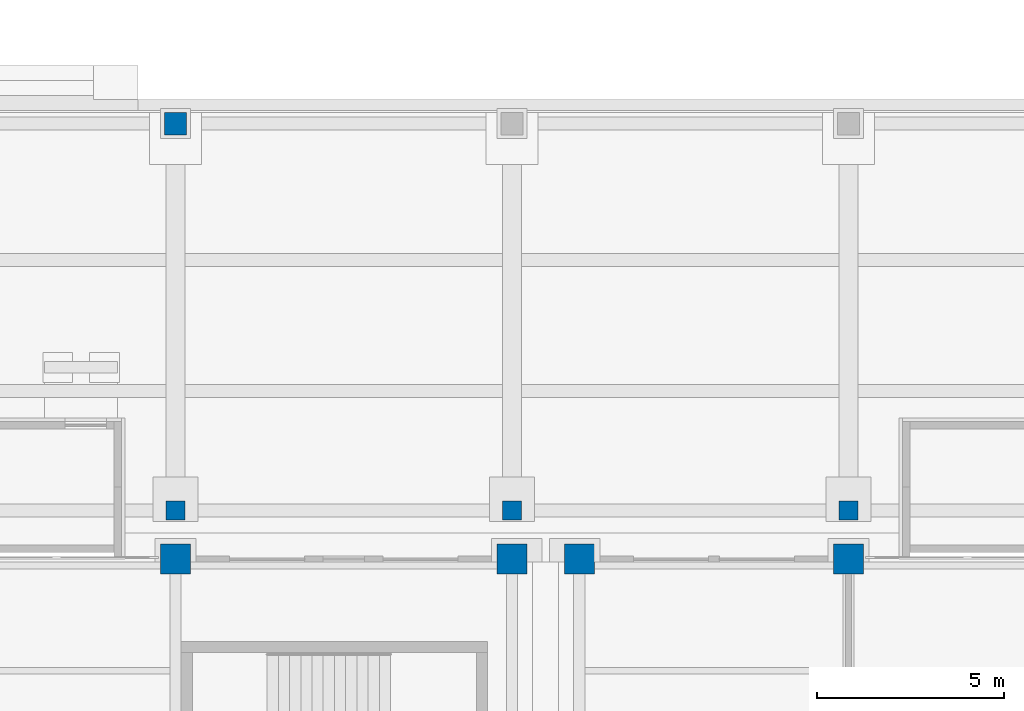
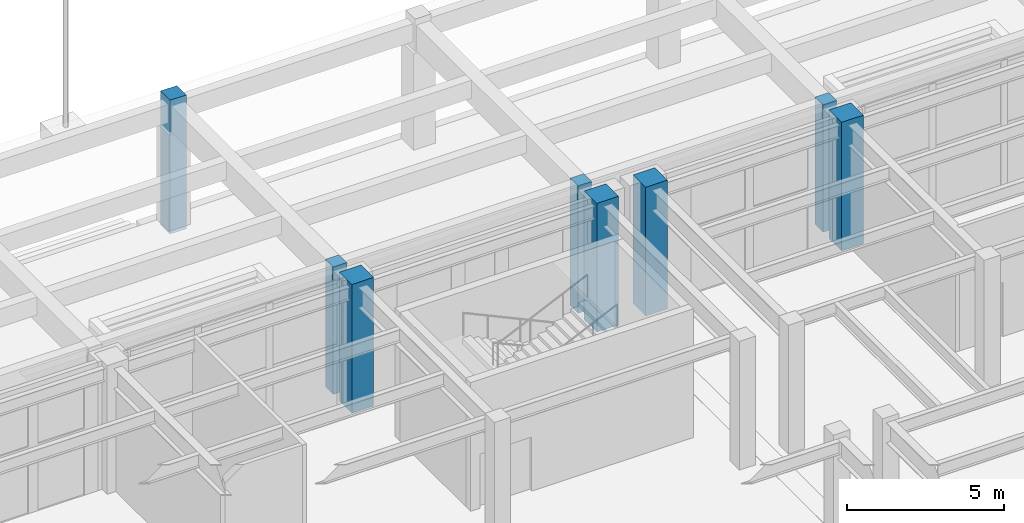
# One storey, part 10 of 77: 8 columns.
"""IFC4 building model written with IfcOpenShell, lengths in metres."""

import ifcopenshell
import ifcopenshell.guid

model = None  # the IFC model being written
_history = None  # IfcOwnerHistory: only IFC2X3 demands one
_inside = {}  # id of a spatial element -> (the spatial element, [elements in it])
_under = {}  # id of a project, library or spatial element -> (it, [spatial elements below it])
_declared = {}  # id of a project -> (the project, [libraries it declares])
_typed = {}  # id of a type object -> (the type object, [elements of that type])
_made_of = {}  # id of a material, layer set ... -> (it, [elements and type objects made of it])


def new_model(schema):
    """Start an empty IFC model of exactly this schema.

    Asked for "IFC4X3", IfcOpenShell would pick the latest addendum, in which some entities
    have other attributes; the version numbers below select the first issue.
    IFC2X3 requires an IfcOwnerHistory on every rooted entity: one is made here for all.
    """
    global model, _history
    if schema == "IFC4X3":
        model = ifcopenshell.file(schema_version=(4, 3, 0, 0))
    else:
        model = ifcopenshell.file(schema=schema)
    _inside.clear()
    _under.clear()
    _declared.clear()
    _typed.clear()
    _made_of.clear()
    _history = None
    if model.schema == "IFC2X3":
        org = make("IfcOrganization", Name="unknown")
        user = make(
            "IfcPersonAndOrganization",
            ThePerson=make("IfcPerson", FamilyName="unknown"),
            TheOrganization=org,
        )
        app = make(
            "IfcApplication",
            ApplicationDeveloper=org,
            Version="unknown",
            ApplicationFullName="unknown",
            ApplicationIdentifier="unknown",
        )
        _history = make(
            "IfcOwnerHistory",
            OwningUser=user,
            OwningApplication=app,
            ChangeAction="ADDED",
            CreationDate=0,
        )
    return model


def make(cls, **values):
    """One entity of the class cls with the attributes given. An attribute that is None is left unset."""
    return model.create_entity(
        cls, **{name: value for name, value in values.items() if value is not None}
    )


def rooted(cls, **values):
    """An entity with a GlobalId (a new one), such as an element, a storey or a relation."""
    return make(cls, GlobalId=ifcopenshell.guid.new(), OwnerHistory=_history, **values)


def si_unit(unit_type, name, prefix=None):
    """IfcSIUnit, for example si_unit("LENGTHUNIT", "METRE", prefix="MILLI")."""
    return make("IfcSIUnit", UnitType=unit_type, Prefix=prefix, Name=name)


def assignment(units):
    """IfcUnitAssignment: the units of a project."""
    return None if units is None else make("IfcUnitAssignment", Units=units)


def point(xyz):
    """IfcCartesianPoint."""
    return None if xyz is None else make("IfcCartesianPoint", Coordinates=xyz)


def direction(xyz):
    """IfcDirection."""
    return None if xyz is None else make("IfcDirection", DirectionRatios=xyz)


def frame(location, z_axis=None, x_axis=None):
    """IfcAxis2Placement3D, a coordinate frame: its origin and axes. An axis left out is left unset."""
    return make(
        "IfcAxis2Placement3D",
        Location=point(location),
        Axis=direction(z_axis),
        RefDirection=direction(x_axis),
    )


def frame_2d(location, x_axis=None):
    """IfcAxis2Placement2D, a coordinate frame in the plane: its origin and x axis."""
    return make(
        "IfcAxis2Placement2D", Location=point(location), RefDirection=direction(x_axis)
    )


def origin():
    """The frame at (0, 0, 0) with its axes left unset."""
    return frame((0.0, 0.0, 0.0))


def origin_2d():
    """The frame at (0, 0) in the plane with its x axis left unset."""
    return frame_2d((0.0, 0.0))


def place(relative_to, where):
    """IfcLocalPlacement: puts the frame where relative to a parent placement (None: the world)."""
    return make(
        "IfcLocalPlacement", PlacementRelTo=relative_to, RelativePlacement=where
    )


def context(
    kind, dimensions, precision=None, world=None, true_north=None, identifier=None
):
    """IfcGeometricRepresentationContext, for example the 3D "Model" context."""
    return make(
        "IfcGeometricRepresentationContext",
        ContextIdentifier=identifier,
        ContextType=kind,
        CoordinateSpaceDimension=dimensions,
        Precision=precision,
        WorldCoordinateSystem=world,
        TrueNorth=true_north,
    )


def subcontext(parent, identifier, kind, view, scale=None):
    """IfcGeometricRepresentationSubContext, for example "Body" below "Model"."""
    return make(
        "IfcGeometricRepresentationSubContext",
        ContextIdentifier=identifier,
        ContextType=kind,
        ParentContext=parent,
        TargetScale=scale,
        TargetView=view,
    )


def project(units=None, contexts=None):
    """IfcProject with its units and contexts."""
    return rooted(
        "IfcProject",
        Name="project",
        RepresentationContexts=contexts,
        UnitsInContext=assignment(units),
    )


def spatial(cls, under=None, at=None, **own):
    """A site, building, storey or space (cls), placed at a placement, below another one or the project."""
    s = rooted(cls, ObjectPlacement=at, **own)
    if under is not None:
        _under.setdefault(under.id(), (under, []))[1].append(s)
    return s


def profile(cls, at=None, kind="AREA", **sizes):
    """A parametric profile (cls). Its sizes go by their IFC names, for example OverallWidth=200.0."""
    return make(cls, ProfileType=kind, Position=at, **sizes)


def rectangle(**sizes):
    """IfcRectangleProfileDef."""
    return profile("IfcRectangleProfileDef", **sizes)


def extrude(swept, where, along, depth):
    """IfcExtrudedAreaSolid: the profile swept, set in the frame where, extruded along a direction by depth."""
    return make(
        "IfcExtrudedAreaSolid",
        SweptArea=swept,
        Position=where,
        ExtrudedDirection=direction(along),
        Depth=depth,
    )


def shape(context_of_items, identifier, shape_type, items):
    """IfcShapeRepresentation: the items that make up one representation, for example the "Body"."""
    return make(
        "IfcShapeRepresentation",
        ContextOfItems=context_of_items,
        RepresentationIdentifier=identifier,
        RepresentationType=shape_type,
        Items=items,
    )


def material(Name=None, Category=None):
    """IfcMaterial."""
    return make("IfcMaterial", Name=Name, Category=Category)


def material_profile(
    of_material, cross_section, Name=None, Category=None, Priority=None
):
    """IfcMaterialProfile: a cross section and its material."""
    return make(
        "IfcMaterialProfile",
        Name=Name,
        Material=of_material,
        Profile=cross_section,
        Priority=Priority,
        Category=Category,
    )


def profile_set(profiles, Name=None, composite=None):
    """IfcMaterialProfileSet."""
    return make(
        "IfcMaterialProfileSet",
        Name=Name,
        MaterialProfiles=profiles,
        CompositeProfile=composite,
    )


def made_of(thing, what):
    """Note that an element or type object is made of a material, layer set ...; save() writes the relation."""
    if what is not None:
        _made_of.setdefault(what.id(), (what, []))[1].append(thing)
    return thing


def type_object(cls, material=None, **own):
    """A type object (cls), such as IfcWallType, which elements share."""
    return made_of(rooted(cls, **own), material)


def element(
    cls,
    number,
    at=None,
    inside=None,
    cuts=None,
    type_object=None,
    material=None,
    context=None,
    identifier="Body",
    shape_type=None,
    held_by="IfcProductDefinitionShape",
    body=None,
    shapes=None,
    **own,
):
    """One element of the class cls, such as IfcWall. Its Tag is "e" and its number.

    at: its placement. inside: the storey or other place that contains it. cuts: it is an
    opening in that element (IfcRelVoidsElement). A single representation is given by context,
    identifier, shape_type and body (its items); several are given by shapes. held_by: the class
    of the entity that holds the representations. save() writes the other relations.
    """
    e = rooted(cls, Tag="e%d" % number, ObjectPlacement=at, **own)
    if body is not None:
        shapes = [shape(context, identifier, shape_type, body)]
    if shapes is not None:
        e.Representation = make(held_by, Representations=shapes)
    if inside is not None:
        _inside.setdefault(inside.id(), (inside, []))[1].append(e)
    if cuts is not None:
        rooted(
            "IfcRelVoidsElement", RelatingBuildingElement=cuts, RelatedOpeningElement=e
        )
    if type_object is not None:
        _typed.setdefault(type_object.id(), (type_object, []))[1].append(e)
    return made_of(e, material)


def aggregate(whole, parts):
    """IfcRelAggregates: a whole, such as a stair, and the parts it consists of."""
    return rooted("IfcRelAggregates", RelatingObject=whole, RelatedObjects=parts)


def save(model, path):
    """Write the relations noted so far, then the file.

    IfcRelAggregates (storeys below a building ...), IfcRelContainedInSpatialStructure (elements
    in a storey), IfcRelDefinesByType, IfcRelAssociatesMaterial and IfcRelDeclares: one each for
    every whole, place, type object, material and project.
    """
    for whole, parts in _under.values():
        aggregate(whole, parts)
    for where, things in _inside.values():
        rooted(
            "IfcRelContainedInSpatialStructure",
            RelatedElements=things,
            RelatingStructure=where,
        )
    for kind, things in _typed.values():
        rooted("IfcRelDefinesByType", RelatedObjects=things, RelatingType=kind)
    for what, things in _made_of.values():
        rooted("IfcRelAssociatesMaterial", RelatedObjects=things, RelatingMaterial=what)
    for by, libraries in _declared.values():
        rooted("IfcRelDeclares", RelatingContext=by, RelatedDefinitions=libraries)
    model.write(path)


model = new_model("IFC4")

# Units and contexts
model_context = context("Model", 3, precision=1e-05, world=origin(), true_north=direction((0.0, 1.0)))
body_context = subcontext(model_context, "Body", "Model", "MODEL_VIEW")
ifc_project = project(units=[si_unit("LENGTHUNIT", "METRE"), si_unit("AREAUNIT", "SQUARE_METRE"), si_unit("VOLUMEUNIT", "CUBIC_METRE"), si_unit("PLANEANGLEUNIT", "RADIAN"), si_unit("MASSUNIT", "GRAM", prefix="KILO")], contexts=[model_context])

# Site, building, storey
site_placement = place(None, origin())
site = spatial("IfcSite", under=ifc_project, at=site_placement, CompositionType="ELEMENT")
building_placement = place(site_placement, origin())
building = spatial("IfcBuilding", under=site, at=building_placement, Name="Aravalli Gate Trade Fair Centre", CompositionType="ELEMENT")
storey_placement = place(building_placement, origin())
storey = spatial("IfcBuildingStorey", under=building, at=storey_placement, Name="L00", CompositionType="ELEMENT", Elevation=0.0)

# Columns
ifc_material = material(Name="Concrete M45", Category="concrete")
ifc_material_profile_1 = material_profile(ifc_material, rectangle(XDim=0.5, YDim=0.5, at=origin_2d()), Name="Arcade column 500 x 500")
ifc_profile_set_1 = profile_set([ifc_material_profile_1], Name="Concrete M45")
column_type_1 = type_object("IfcColumnType", Name="Arcade column 500 x 500", PredefinedType="COLUMN", material=ifc_profile_set_1)
for number, where, z_axis, x_axis, name in (
    (1, (96.0, 134.300048828125, -0.199951171875), (0.0, 0.0, 1.0), (1.0, 0.0, 0.0), "Arcade column S11"),
    (2, (105.0, 134.300048828125, -0.199951171875), (0.0, 0.0, 1.0), (1.0, 0.0, 0.0), "Arcade column S12"),
    (3, (114.0, 134.300048828125, -0.199951171875), (0.0, 0.0, 1.0), (1.0, 0.0, 0.0), "Arcade column S13"),
):
    element("IfcColumn", number, at=place(storey_placement, frame(where, z_axis=z_axis, x_axis=x_axis)), inside=storey, type_object=column_type_1, Name=name, PredefinedType="COLUMN", context=body_context, shape_type="SweptSolid", body=[
        extrude(rectangle(XDim=0.5, YDim=0.5, at=origin_2d()), origin(), (0.0, 0.0, 1.0), 4.949951171875),
    ])
ifc_material_profile_2 = material_profile(ifc_material, rectangle(XDim=0.60009765625, YDim=0.60009765625, at=origin_2d()), Name="Arcade pier 600 x 600")
ifc_profile_set_2 = profile_set([ifc_material_profile_2], Name="Concrete M45")
column_type_2 = type_object("IfcColumnType", Name="Arcade pier 600 x 600", PredefinedType="COLUMN", material=ifc_profile_set_2)
column_placement = place(storey_placement, frame((96.0, 144.64990234375, -0.199951171875), z_axis=(0.0, 0.0, 1.0), x_axis=(1.0, 0.0, 0.0)))
element("IfcColumn", 4, at=column_placement, inside=storey, type_object=column_type_2, Name="Arcade pier N11 L00", PredefinedType="COLUMN", context=body_context, shape_type="SweptSolid", body=[
    extrude(rectangle(XDim=0.60009765625, YDim=0.60009765625, at=origin_2d()), origin(), (0.0, 0.0, 1.0), 5.199951171875),
])
ifc_material_profile_3 = material_profile(ifc_material, rectangle(XDim=0.800048828125, YDim=0.800048828125, at=origin_2d()), Name="RC column 800 x 800")
ifc_profile_set_3 = profile_set([ifc_material_profile_3], Name="Concrete M45")
column_type_3 = type_object("IfcColumnType", Name="RC column 800 x 800", PredefinedType="COLUMN", material=ifc_profile_set_3)
for number, where, z_axis, x_axis, name in (
    (5, (96.0, 133.0, 0.0), (0.0, 0.0, 1.0), (1.0, 0.0, 0.0), "Concourse column K11 L00"),
    (6, (105.0, 133.0, 0.0), (0.0, 0.0, 1.0), (1.0, 0.0, 0.0), "Concourse column K12 L00"),
    (7, (106.800048828125, 133.0, 0.0), (0.0, 0.0, 1.0), (1.0, 0.0, 0.0), "Concourse column K12A L00"),
    (8, (114.0, 133.0, 0.0), (0.0, 0.0, 1.0), (1.0, 0.0, 0.0), "Concourse column K13 L00"),
):
    element("IfcColumn", number, at=place(storey_placement, frame(where, z_axis=z_axis, x_axis=x_axis)), inside=storey, type_object=column_type_3, Name=name, PredefinedType="COLUMN", context=body_context, shape_type="SweptSolid", body=[
        extrude(rectangle(XDim=0.800048828125, YDim=0.800048828125, at=origin_2d()), origin(), (0.0, 0.0, 1.0), 5.0),
    ])

save(model, "model.ifc")
